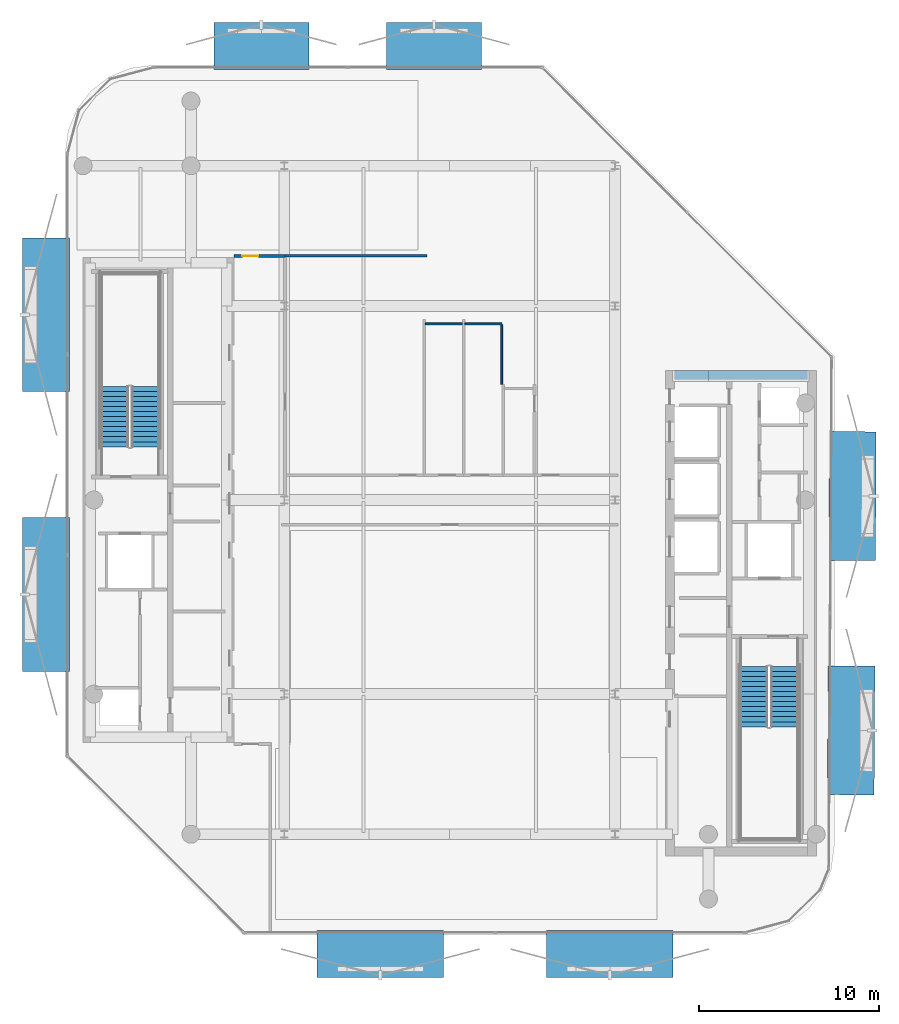
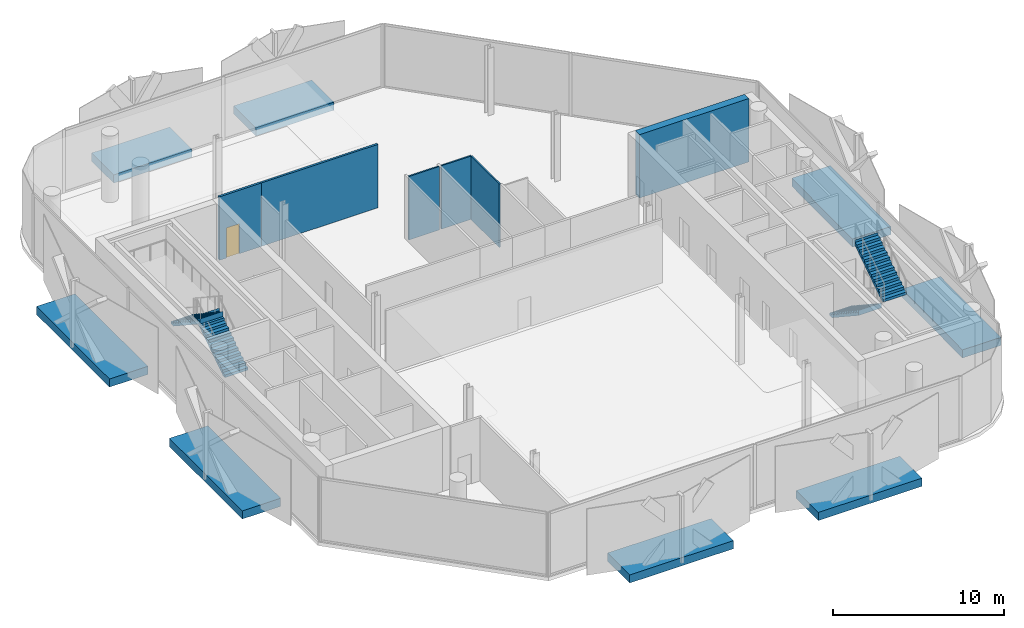
# One storey, part 6 of 15: 8 discrete accessories, 6 walls, 4 stair flights, 1 door, 1 opening, 2 elements without a shape of their own.
"""IFC4 building model written with IfcOpenShell, lengths in metres."""

from ifc_helpers import new_model, si_unit, direction, frame, frame_2d, origin, origin_2d, place, context, subcontext, project, spatial, polyline, rectangle, outline, extrude, material, layer, layer_set, type_object, element, fill, aggregate, save


model = new_model("IFC4")

# Units and contexts
model_context = context("Model", 3, precision=1e-05, world=origin(), true_north=direction((0.0, 1.0)))
body_context = subcontext(model_context, "Body", "Model", "MODEL_VIEW")
ifc_project = project(units=[si_unit("LENGTHUNIT", "METRE"), si_unit("AREAUNIT", "SQUARE_METRE"), si_unit("VOLUMEUNIT", "CUBIC_METRE"), si_unit("PLANEANGLEUNIT", "RADIAN"), si_unit("MASSUNIT", "GRAM", prefix="KILO")], contexts=[model_context])

# Site, building, storey
site_placement = place(None, origin())
site = spatial("IfcSite", under=ifc_project, at=site_placement, CompositionType="ELEMENT")
building_placement = place(site_placement, origin())
building = spatial("IfcBuilding", under=site, at=building_placement, Name="Khairoan Windgate Tower", CompositionType="ELEMENT")
storey_placement = place(building_placement, frame((0.0, 0.0, 315.60009765625)))
storey = spatial("IfcBuildingStorey", under=building, at=storey_placement, Name="L76", CompositionType="ELEMENT", Elevation=315.60009765625)

# Walls
ifc_material_1 = material(Name="Moisture-Resistant Gypsum Partition", Category="gypsum")
ifc_layer_1 = layer(ifc_material_1, 0.10009765625, Name="Moisture-Resistant Gypsum Partition")
ifc_layer_set_1 = layer_set([ifc_layer_1], Name="Moisture-Resistant Gypsum Partition")
wall_type_1 = type_object("IfcWallType", Name="Bathroom Wet-Area Partition Wall", PredefinedType="PARTITIONING", material=ifc_layer_set_1)
wall_1_placement = place(storey_placement, frame((-1.35009765625, 9.800048828125, 0.0), z_axis=(0.0, 0.0, 1.0), x_axis=(1.0, 0.0, 0.0)))
element("IfcWall", 1, at=wall_1_placement, inside=storey, type_object=wall_type_1, Name="L76 Wet Room Side Wall 028", PredefinedType="PARTITIONING", context=body_context, shape_type="SweptSolid", body=[
    extrude(rectangle(XDim=2.06005859375, YDim=0.10009765625, at=frame_2d((1.030029296875, 0.0))), origin(), (0.0, 0.0, 1.0), 4.539794921875),
])
wall_2_placement = place(storey_placement, frame((0.85009765625, 9.800048828125, 0.0), z_axis=(0.0, 0.0, 1.0), x_axis=(1.0, 0.0, 0.0)))
element("IfcWall", 2, at=wall_2_placement, inside=storey, type_object=wall_type_1, Name="L76 Wet Room Side Wall 029", PredefinedType="PARTITIONING", context=body_context, shape_type="SweptSolid", body=[
    extrude(rectangle(XDim=2.0498046875, YDim=0.10009765625, at=frame_2d((1.02490234375, 0.0))), origin(), (0.0, 0.0, 1.0), 4.539794921875),
])
wall_3_placement = place(storey_placement, frame((2.89990234375, 9.75, 0.0), z_axis=(0.0, 0.0, 1.0), x_axis=(0.0, -1.0, 0.0)))
element("IfcWall", 3, at=wall_3_placement, inside=storey, type_object=wall_type_1, Name="L76 Wet Room Side Wall 030", PredefinedType="PARTITIONING", context=body_context, shape_type="SweptSolid", body=[
    extrude(rectangle(XDim=3.31005859375, YDim=0.10009765625, at=frame_2d((1.655029296875, 0.0))), origin(), (0.0, 0.0, 1.0), 4.539794921875),
])
ifc_material_2 = material(Name="Acoustic Fire-Rated Gypsum Partition", Category="gypsum")
ifc_layer_2 = layer(ifc_material_2, 0.139892578125, Name="Acoustic Fire-Rated Gypsum Partition")
ifc_layer_set_2 = layer_set([ifc_layer_2], Name="Acoustic Fire-Rated Gypsum Partition")
wall_type_2 = type_object("IfcWallType", Name="Inter-Tenancy Compartment Wall", PredefinedType="PARTITIONING", material=ifc_layer_set_2)
wall_4_placement = place(storey_placement, frame((-9.159912109375, 13.580078125, 0.0), z_axis=(0.0, 0.0, 1.0), x_axis=(1.0, 0.0, 0.0)))
element("IfcWall", 4, at=wall_4_placement, inside=storey, type_object=wall_type_2, Name="L76 Interior Partition 022", PredefinedType="PARTITIONING", context=body_context, shape_type="SweptSolid", body=[
    extrude(rectangle(XDim=7.89990234375, YDim=0.139892578125, at=frame_2d((3.949951171875, 0.0))), origin(), (0.0, 0.0, 1.0), 4.539794921875),
])

# Wall, opening, door
ifc_material_3 = material(Name="Acoustic Fire-Rated Gypsum Partition", Category="gypsum")
ifc_layer_3 = layer(ifc_material_3, 0.14990234375, Name="Acoustic Fire-Rated Gypsum Partition")
ifc_layer_set_3 = layer_set([ifc_layer_3], Name="Acoustic Fire-Rated Gypsum Partition")
wall_type_3 = type_object("IfcWallType", Name="Rated Corridor Partition Wall", PredefinedType="PARTITIONING", material=ifc_layer_set_3)
wall_5_placement = place(storey_placement, frame((-12.0, 13.580078125, 0.0), z_axis=(0.0, 0.0, 1.0), x_axis=(1.0, 0.0, 0.0)))
wall_5 = element("IfcWall", 5, at=wall_5_placement, inside=storey, type_object=wall_type_3, Name="L76 Interior Partition 012", PredefinedType="PARTITIONING", context=body_context, shape_type="SweptSolid", body=[
    extrude(rectangle(XDim=2.840087890625, YDim=0.14990234375, at=frame_2d((1.419921875, 0.0))), origin(), (0.0, 0.0, 1.0), 4.539794921875),
])
opening_placement = place(wall_5_placement, frame((0.4599609375, 0.0, 0.0)))
opening = element("IfcOpeningElement", 6, at=opening_placement, cuts=wall_5, Name="Opening FD-ENT", PredefinedType="OPENING", context=body_context, shape_type="SweptSolid", body=[
    extrude(rectangle(XDim=0.89990234375, YDim=2.14990234375, at=frame_2d((0.449951171875, 1.074951171875))), frame((0.0, 0.0849609375, 0.0), z_axis=(0.0, -1.0, 0.0), x_axis=(1.0, 0.0, 0.0)), (0.0, 0.0, 1.0), 0.169921875),
])
ifc_material_4 = material(Name="Timber Fire-Rated Core", Category="wood")
door_type = type_object("IfcDoorType", Name="Unit and Office Fire Entrance Door FD-ENT 900x2150", OperationType="NOTDEFINED", PredefinedType="DOOR", material=ifc_material_4)
door_placement = place(opening_placement, origin())
door = element("IfcDoor", 7, at=door_placement, inside=storey, type_object=door_type, Name="L76 L76-27-L76-31 Door", OperationType="SINGLE_SWING_RIGHT", OverallHeight=2.14990234375, OverallWidth=0.89990234375, PredefinedType="DOOR", context=body_context, shape_type="SweptSolid", body=[
    extrude(rectangle(XDim=0.89990234375, YDim=2.14990234375, at=frame_2d((0.449951171875, 1.074951171875))), frame((0.0, 0.02490234375, 0.0), z_axis=(0.0, -1.0, 0.0), x_axis=(1.0, 0.0, 0.0)), (0.0, 0.0, 1.0), 0.050048828125),
])
fill(opening, door)

# Wall
ifc_material_5 = material(Name="Concrete C50/60", Category="concrete")
ifc_layer_4 = layer(ifc_material_5, 0.5, Name="Concrete C50/60")
ifc_layer_set_4 = layer_set([ifc_layer_4], Name="Concrete C50/60")
wall_type_4 = type_object("IfcWallType", Name="Shear Wall CW-E3 500mm", PredefinedType="SHEAR", material=ifc_layer_set_4)
wall_6_placement = place(storey_placement, frame((12.5, 6.949951171875, 0.0), z_axis=(0.0, 0.0, 1.0), x_axis=(1.0, 0.0, 0.0)))
element("IfcWall", 8, at=wall_6_placement, inside=storey, type_object=wall_type_4, Name="E Core North Shear Wall L76", PredefinedType="SHEAR", context=body_context, shape_type="SweptSolid", body=[
    extrude(rectangle(XDim=7.39990234375, YDim=0.5, at=frame_2d((3.699951171875, 0.0))), origin(), (0.0, 0.0, 1.0), 4.539794921875),
])

# Stair, stair flights
ifc_material_6 = material(Name="Concrete C40/50", Category="concrete")
stair_type = type_object("IfcStairType", Name="Tower Core Dog-Leg Stair ST-T1 1560mm", PredefinedType="HALF_TURN_STAIR", material=ifc_material_6)
stair_1_placement = place(storey_placement, origin())
stair_1 = element("IfcStair", 9, at=stair_1_placement, inside=storey, type_object=stair_type, Name="L76 Stair ST1", PredefinedType="HALF_TURN_STAIR")
ifc_material_7 = material(Name="Concrete C40/50", Category="concrete")
ifc_layer_5 = layer(ifc_material_7, 0.14990234375, Name="Concrete C40/50")
ifc_layer_set_5 = layer_set([ifc_layer_5], Name="Concrete C40/50")
stair_flight_type = type_object("IfcStairFlightType", Name="Tower Core Stair Flight STF-1560", PredefinedType="STRAIGHT", material=ifc_layer_set_5)
stair_flight_1_placement = place(storey_placement, frame((16.929931640625, -9.260009765625, 0.0), z_axis=(0.0, 0.0, 1.0), x_axis=(0.0, -1.0, 0.0)))
stair_flight_1 = element("IfcStairFlight", 10, at=stair_flight_1_placement, type_object=stair_flight_type, Name="ST1 flight 1", NumberOfRisers=13, NumberOfTreads=12, PredefinedType="STRAIGHT", RiserHeight=0.184615385, TreadLength=0.28, context=body_context, shape_type="SweptSolid", body=[
    extrude(outline(polyline([(-0.00390625, 0.0), (-0.00390625, 0.1845703125), (0.0, 0.1845703125), (0.280029296875, 0.1845703125), (0.280029296875, 0.369140625), (0.56005859375, 0.369140625), (0.56005859375, 0.553955078125), (0.840087890625, 0.553955078125), (0.840087890625, 0.738525390625), (1.1201171875, 0.738525390625), (1.1201171875, 0.923095703125), (1.39990234375, 0.923095703125), (1.39990234375, 1.107666015625), (1.679931640625, 1.107666015625), (1.679931640625, 1.292236328125), (1.9599609375, 1.292236328125), (1.9599609375, 1.476806640625), (2.239990234375, 1.476806640625), (2.239990234375, 1.66162109375), (2.52001953125, 1.66162109375), (2.52001953125, 1.84619140625), (2.800048828125, 1.84619140625), (2.800048828125, 2.03076171875), (3.080078125, 2.03076171875), (3.080078125, 2.21533203125), (3.360107421875, 2.21533203125), (3.360107421875, 2.39990234375), (3.364013671875, 2.39990234375), (3.364013671875, 2.035888671875), (0.272216796875, 0.0), (-0.00390625, 0.0)])), frame((0.0, 0.780029296875, 0.0), z_axis=(0.0, -1.0, 0.0), x_axis=(1.0, 0.0, 0.0)), (0.0, 0.0, 1.0), 1.56005859375),
])
stair_flight_2_placement = place(storey_placement, frame((18.639892578125, -12.6201171875, 2.39990234375), z_axis=(0.0, 0.0, 1.0), x_axis=(0.0, 1.0, 0.0)))
stair_flight_2 = element("IfcStairFlight", 11, at=stair_flight_2_placement, type_object=stair_flight_type, Name="ST1 flight 2", NumberOfRisers=13, NumberOfTreads=12, PredefinedType="STRAIGHT", RiserHeight=0.184615385, TreadLength=0.28, context=body_context, shape_type="SweptSolid", body=[
    extrude(outline(polyline([(-0.00390625, 0.0), (-0.00390625, 0.1845703125), (0.0, 0.1845703125), (0.280029296875, 0.1845703125), (0.280029296875, 0.369140625), (0.56005859375, 0.369140625), (0.56005859375, 0.553955078125), (0.840087890625, 0.553955078125), (0.840087890625, 0.738525390625), (1.1201171875, 0.738525390625), (1.1201171875, 0.923095703125), (1.39990234375, 0.923095703125), (1.39990234375, 1.107666015625), (1.679931640625, 1.107666015625), (1.679931640625, 1.292236328125), (1.9599609375, 1.292236328125), (1.9599609375, 1.476806640625), (2.239990234375, 1.476806640625), (2.239990234375, 1.66162109375), (2.52001953125, 1.66162109375), (2.52001953125, 1.84619140625), (2.800048828125, 1.84619140625), (2.800048828125, 2.03076171875), (3.080078125, 2.03076171875), (3.080078125, 2.21533203125), (3.360107421875, 2.21533203125), (3.360107421875, 2.39990234375), (3.364013671875, 2.39990234375), (3.364013671875, 2.035888671875), (0.272216796875, 0.0), (-0.00390625, 0.0)])), frame((0.0, 0.780029296875, 0.0), z_axis=(0.0, -1.0, 0.0), x_axis=(1.0, 0.0, 0.0)), (0.0, 0.0, 1.0), 1.56005859375),
])
aggregate(stair_1, [stair_flight_1, stair_flight_2])

stair_2_placement = place(storey_placement, origin())
stair_2 = element("IfcStair", 12, at=stair_2_placement, inside=storey, type_object=stair_type, Name="L76 Stair ST2", PredefinedType="HALF_TURN_STAIR")
stair_flight_3_placement = place(storey_placement, frame((-16.929931640625, 2.9599609375, 0.0), z_axis=(0.0, 0.0, 1.0), x_axis=(0.0, 1.0, 0.0)))
stair_flight_3 = element("IfcStairFlight", 13, at=stair_flight_3_placement, type_object=stair_flight_type, Name="ST2 flight 1", NumberOfRisers=13, NumberOfTreads=12, PredefinedType="STRAIGHT", RiserHeight=0.184615385, TreadLength=0.28, context=body_context, shape_type="SweptSolid", body=[
    extrude(outline(polyline([(-0.00390625, 0.0), (-0.00390625, 0.1845703125), (0.0, 0.1845703125), (0.280029296875, 0.1845703125), (0.280029296875, 0.369140625), (0.56005859375, 0.369140625), (0.56005859375, 0.553955078125), (0.840087890625, 0.553955078125), (0.840087890625, 0.738525390625), (1.1201171875, 0.738525390625), (1.1201171875, 0.923095703125), (1.39990234375, 0.923095703125), (1.39990234375, 1.107666015625), (1.679931640625, 1.107666015625), (1.679931640625, 1.292236328125), (1.9599609375, 1.292236328125), (1.9599609375, 1.476806640625), (2.239990234375, 1.476806640625), (2.239990234375, 1.66162109375), (2.52001953125, 1.66162109375), (2.52001953125, 1.84619140625), (2.800048828125, 1.84619140625), (2.800048828125, 2.03076171875), (3.080078125, 2.03076171875), (3.080078125, 2.21533203125), (3.360107421875, 2.21533203125), (3.360107421875, 2.39990234375), (3.364013671875, 2.39990234375), (3.364013671875, 2.035888671875), (0.272216796875, 0.0), (-0.00390625, 0.0)])), frame((0.0, 0.780029296875, 0.0), z_axis=(0.0, -1.0, 0.0), x_axis=(1.0, 0.0, 0.0)), (0.0, 0.0, 1.0), 1.56005859375),
])
stair_flight_4_placement = place(storey_placement, frame((-18.639892578125, 6.320068359375, 2.39990234375), z_axis=(0.0, 0.0, 1.0), x_axis=(0.0, -1.0, 0.0)))
stair_flight_4 = element("IfcStairFlight", 14, at=stair_flight_4_placement, type_object=stair_flight_type, Name="ST2 flight 2", NumberOfRisers=13, NumberOfTreads=12, PredefinedType="STRAIGHT", RiserHeight=0.184615385, TreadLength=0.28, context=body_context, shape_type="SweptSolid", body=[
    extrude(outline(polyline([(-0.00390625, 0.0), (-0.00390625, 0.1845703125), (0.0, 0.1845703125), (0.280029296875, 0.1845703125), (0.280029296875, 0.369140625), (0.56005859375, 0.369140625), (0.56005859375, 0.553955078125), (0.840087890625, 0.553955078125), (0.840087890625, 0.738525390625), (1.1201171875, 0.738525390625), (1.1201171875, 0.923095703125), (1.39990234375, 0.923095703125), (1.39990234375, 1.107666015625), (1.679931640625, 1.107666015625), (1.679931640625, 1.292236328125), (1.9599609375, 1.292236328125), (1.9599609375, 1.476806640625), (2.239990234375, 1.476806640625), (2.239990234375, 1.66162109375), (2.52001953125, 1.66162109375), (2.52001953125, 1.84619140625), (2.800048828125, 1.84619140625), (2.800048828125, 2.03076171875), (3.080078125, 2.03076171875), (3.080078125, 2.21533203125), (3.360107421875, 2.21533203125), (3.360107421875, 2.39990234375), (3.364013671875, 2.39990234375), (3.364013671875, 2.035888671875), (0.272216796875, 0.0), (-0.00390625, 0.0)])), frame((0.0, 0.780029296875, 0.0), z_axis=(0.0, -1.0, 0.0), x_axis=(1.0, 0.0, 0.0)), (0.0, 0.0, 1.0), 1.56005859375),
])
aggregate(stair_2, [stair_flight_3, stair_flight_4])

# Discrete accessories
ifc_material_8 = material(Name="Steel S355", Category="steel")
discrete_accessory_type = type_object("IfcDiscreteAccessoryType", Name="Solar Screen Outrigger Slab Bracket SSB-1", PredefinedType="BRACKET", material=ifc_material_8)
for number, where, z_axis, x_axis, name in (
    (15, (8.90771484375, -25.260009765625, -0.420166015625), (0.0, 0.0, 1.0), (-1.0, 0.0, 0.0), "L76 Solar Screen Outrigger Bracket 534"),
    (16, (-3.85888671875, -25.260009765625, -0.420166015625), (0.0, 0.0, 1.0), (-1.0, 0.0, 0.0), "L76 Solar Screen Outrigger Bracket 535"),
):
    element("IfcDiscreteAccessory", number, at=place(storey_placement, frame(where, z_axis=z_axis, x_axis=x_axis)), inside=storey, type_object=discrete_accessory_type, Name=name, PredefinedType="BRACKET", context=body_context, shape_type="SweptSolid", body=[
        extrude(rectangle(XDim=7.02197265625, YDim=2.60009765625, at=origin_2d()), origin(), (0.0, 0.0, 1.0), 0.580078125),
    ])
for number, where, z_axis, x_axis, name in (
    (17, (-22.4599609375, -5.2587890625, -0.420166015625), (0.0, 0.0, 1.0), (0.0, 1.0, 0.0), "L76 Solar Screen Outrigger Bracket 536"),
    (18, (-22.4599609375, 10.3076171875, -0.420166015625), (0.0, 0.0, 1.0), (0.0, 1.0, 0.0), "L76 Solar Screen Outrigger Bracket 537"),
):
    element("IfcDiscreteAccessory", number, at=place(storey_placement, frame(where, z_axis=z_axis, x_axis=x_axis)), inside=storey, type_object=discrete_accessory_type, Name=name, PredefinedType="BRACKET", context=body_context, shape_type="SweptSolid", body=[
        extrude(rectangle(XDim=8.56201171875, YDim=2.60009765625, at=origin_2d()), origin(), (0.0, 0.0, 1.0), 0.580078125),
    ])
for number, where, z_axis, x_axis, name in (
    (19, (-10.482666015625, 25.260009765625, -0.420166015625), (0.0, 0.0, 1.0), (1.0, 0.0, 0.0), "L76 Solar Screen Outrigger Bracket 538"),
    (20, (-0.8662109375, 25.260009765625, -0.420166015625), (0.0, 0.0, 1.0), (1.0, 0.0, 0.0), "L76 Solar Screen Outrigger Bracket 539"),
):
    element("IfcDiscreteAccessory", number, at=place(storey_placement, frame(where, z_axis=z_axis, x_axis=x_axis)), inside=storey, type_object=discrete_accessory_type, Name=name, PredefinedType="BRACKET", context=body_context, shape_type="SweptSolid", body=[
        extrude(rectangle(XDim=5.2890625, YDim=2.60009765625, at=origin_2d()), origin(), (0.0, 0.0, 1.0), 0.580078125),
    ])
for number, where, z_axis, x_axis, name in (
    (21, (22.415771484375, 0.216796875, -0.420166015625), (0.0, 0.0, 1.0), (-0.005759554688, -0.999983413627, 0.0), "L76 Solar Screen Outrigger Bracket 540"),
    (22, (22.3408203125, -12.8203125, -0.420166015625), (0.0, 0.0, 1.0), (-0.005759554688, -0.999983413627, 0.0), "L76 Solar Screen Outrigger Bracket 541"),
):
    element("IfcDiscreteAccessory", number, at=place(storey_placement, frame(where, z_axis=z_axis, x_axis=x_axis)), inside=storey, type_object=discrete_accessory_type, Name=name, PredefinedType="BRACKET", context=body_context, shape_type="SweptSolid", body=[
        extrude(rectangle(XDim=7.169921875, YDim=2.60009765625, at=origin_2d()), origin(), (0.0, 0.0, 1.0), 0.580078125),
    ])

save(model, "model.ifc")
